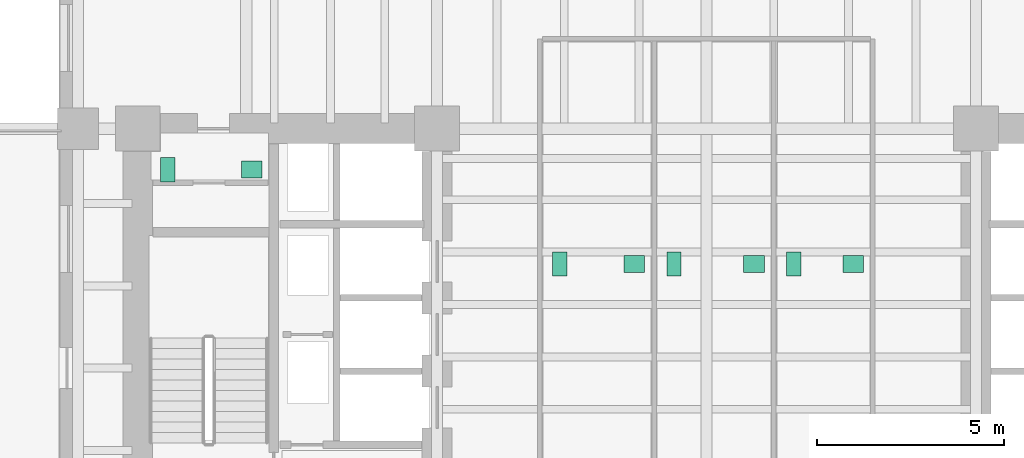
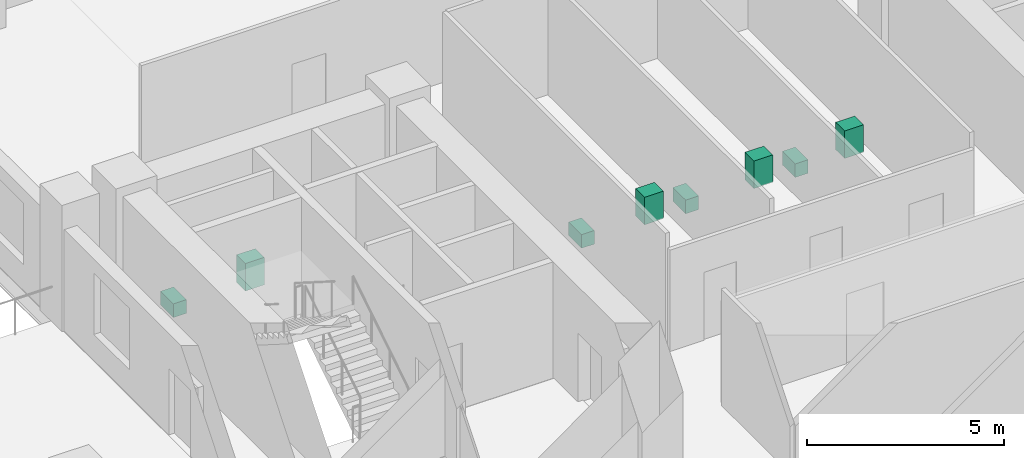
# One storey, part 11 of 11: 8 sanitary terminals.
"""IFC4 building model written with IfcOpenShell, lengths in metres."""

from ifc_helpers import new_model, si_unit, direction, frame, origin, origin_2d, place, context, subcontext, project, spatial, rectangle, extrude, material, type_object, element, save


model = new_model("IFC4")

# Units and contexts
model_context = context("Model", 3, precision=1e-05, world=origin(), true_north=direction((0.0, 1.0)))
body_context = subcontext(model_context, "Body", "Model", "MODEL_VIEW")
ifc_project = project(units=[si_unit("LENGTHUNIT", "METRE"), si_unit("AREAUNIT", "SQUARE_METRE"), si_unit("VOLUMEUNIT", "CUBIC_METRE"), si_unit("PLANEANGLEUNIT", "RADIAN"), si_unit("MASSUNIT", "GRAM", prefix="KILO")], contexts=[model_context])

# Site, building, storey
site_placement = place(None, origin())
site = spatial("IfcSite", under=ifc_project, at=site_placement, CompositionType="ELEMENT")
building_placement = place(site_placement, origin())
building = spatial("IfcBuilding", under=site, at=building_placement, Name="Kranthara Brick Stack", CompositionType="ELEMENT")
storey_placement = place(building_placement, frame((0.0, 0.0, 47.699951171875)))
storey = spatial("IfcBuildingStorey", under=building, at=storey_placement, Name="L11", CompositionType="ELEMENT", Elevation=47.699951171875)

# Sanitary terminals
ifc_material_1 = material(Name="Vitreous china sanitary porcelain", Category="other")
sanitary_terminal_type_1 = type_object("IfcSanitaryTerminalType", Name="SAN-BASIN", PredefinedType="WASHHANDBASIN", material=ifc_material_1)
for number, where, z_axis, x_axis, name in (
    (1, (15.85009765625, 32.5048828125, 0.0), (0.0, 0.0, 1.0), (1.0, 0.0, 0.0), "L11 Washbasin 31"),
    (2, (26.070068359375, 29.985107421875, 0.0), (0.0, 0.0, 1.0), (1.0, 0.0, 0.0), "L11 Washbasin 32"),
    (3, (29.27001953125, 29.985107421875, 0.0), (0.0, 0.0, 1.0), (1.0, 0.0, 0.0), "L11 Washbasin 33"),
    (4, (31.919921875, 29.985107421875, 0.0), (0.0, 0.0, 1.0), (1.0, 0.0, 0.0), "L11 Washbasin 34"),
):
    element("IfcSanitaryTerminal", number, at=place(storey_placement, frame(where, z_axis=z_axis, x_axis=x_axis)), inside=storey, type_object=sanitary_terminal_type_1, Name=name, PredefinedType="WASHHANDBASIN", context=body_context, shape_type="SweptSolid", body=[
        extrude(rectangle(XDim=0.550048828125, YDim=0.449951171875, at=origin_2d()), origin(), (0.0, 0.0, 1.0), 0.85009765625),
    ])
ifc_material_2 = material(Name="Vitreous china sanitary porcelain", Category="other")
sanitary_terminal_type_2 = type_object("IfcSanitaryTerminalType", Name="SAN-WC-PAN", PredefinedType="TOILETPAN", material=ifc_material_2)
for number, where, z_axis, x_axis, name in (
    (5, (13.60009765625, 32.5048828125, 0.0), (0.0, 0.0, 1.0), (1.0, 0.0, 0.0), "L11 WC Pan 31"),
    (6, (24.080078125, 29.985107421875, 0.0), (0.0, 0.0, 1.0), (1.0, 0.0, 0.0), "L11 WC Pan 32"),
    (7, (27.1298828125, 29.985107421875, 0.0), (0.0, 0.0, 1.0), (1.0, 0.0, 0.0), "L11 WC Pan 33"),
    (8, (30.330078125, 29.985107421875, 0.0), (0.0, 0.0, 1.0), (1.0, 0.0, 0.0), "L11 WC Pan 34"),
):
    element("IfcSanitaryTerminal", number, at=place(storey_placement, frame(where, z_axis=z_axis, x_axis=x_axis)), inside=storey, type_object=sanitary_terminal_type_2, Name=name, PredefinedType="TOILETPAN", context=body_context, shape_type="SweptSolid", body=[
        extrude(rectangle(XDim=0.3798828125, YDim=0.64990234375, at=origin_2d()), origin(), (0.0, 0.0, 1.0), 0.419921875),
    ])

save(model, "model.ifc")
